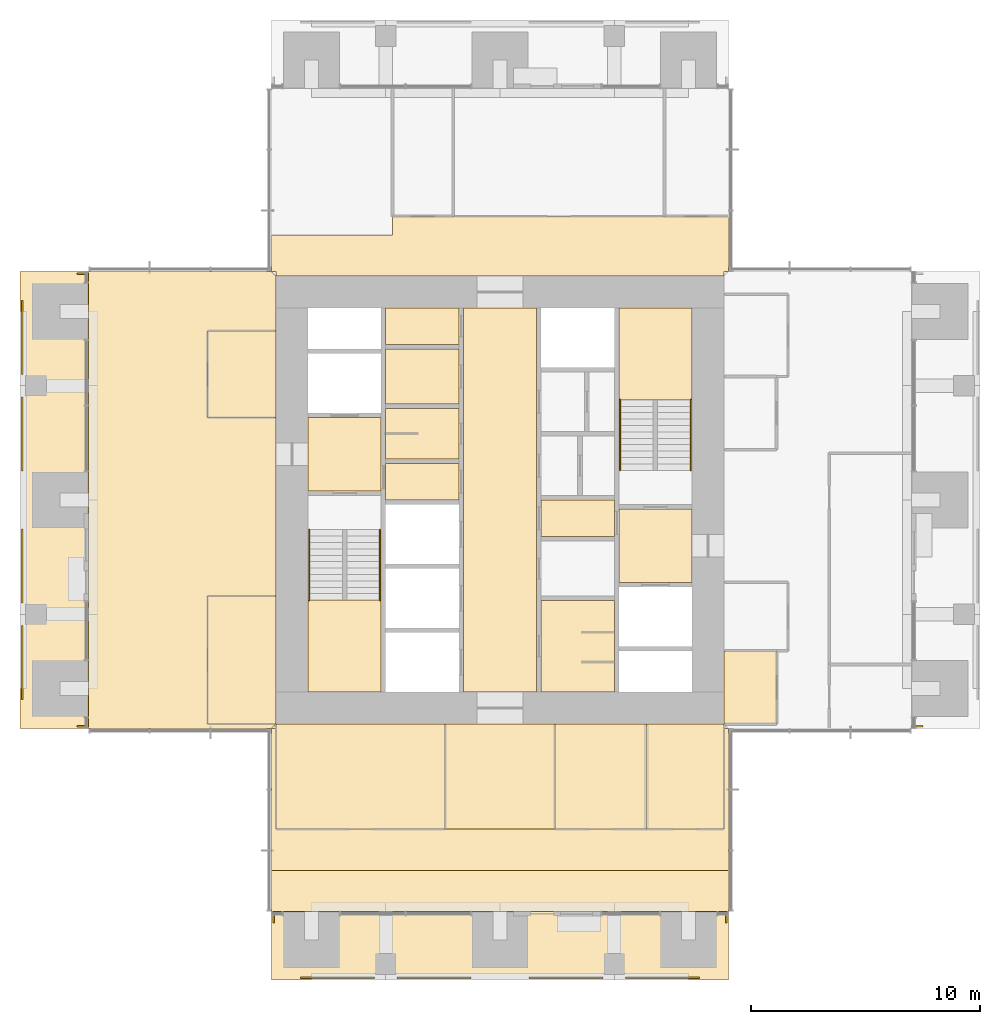
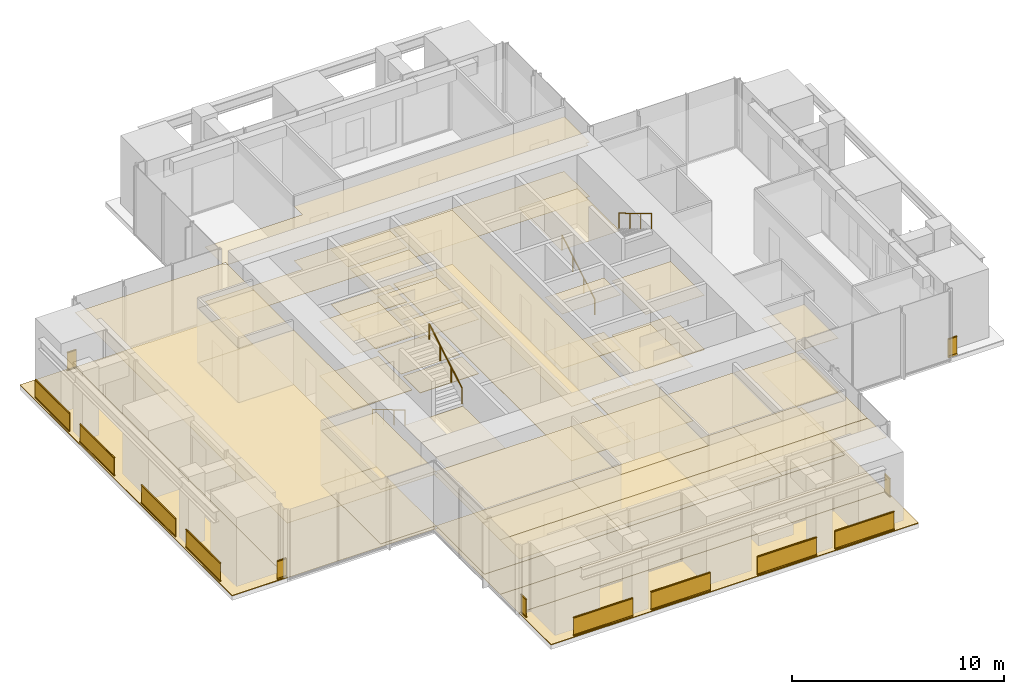
# One storey, part 15 of 17: 44 coverings, 17 railings.
"""IFC4 building model written with IfcOpenShell, lengths in metres."""

from ifc_helpers import new_model, si_unit, direction, frame, origin, origin_2d, place, context, subcontext, project, spatial, polyline, rectangle, circle, outline, extrude, material, layer, layer_set, type_object, element, save


model = new_model("IFC4")

# Units and contexts
model_context = context("Model", 3, precision=1e-05, world=origin(), true_north=direction((0.0, 1.0)))
body_context = subcontext(model_context, "Body", "Model", "MODEL_VIEW")
ifc_project = project(units=[si_unit("LENGTHUNIT", "METRE"), si_unit("AREAUNIT", "SQUARE_METRE"), si_unit("VOLUMEUNIT", "CUBIC_METRE"), si_unit("PLANEANGLEUNIT", "RADIAN"), si_unit("MASSUNIT", "GRAM", prefix="KILO")], contexts=[model_context])

# Site, building, storey
site_placement = place(None, origin())
site = spatial("IfcSite", under=ifc_project, at=site_placement, CompositionType="ELEMENT")
building_placement = place(site_placement, origin())
building = spatial("IfcBuilding", under=site, at=building_placement, Name="Svetlomir Tower", CompositionType="ELEMENT")
storey_placement = place(building_placement, frame((0.0, 0.0, 226.5)))
storey = spatial("IfcBuildingStorey", under=building, at=storey_placement, Name="L54", CompositionType="ELEMENT", Elevation=226.5)

# Railings
ifc_material_1 = material(Name="Bronze anodised aluminium and laminated glass", Category="aluminium")
railing_type_1 = type_object("IfcRailingType", Name="BALCONY GUARD GR1 1100", PredefinedType="GUARDRAIL", material=ifc_material_1)
for number, where, name in (
    (1, (12.27490234375, 0.10009765625, 0.0), "Loggia guard S L54 bay 1"),
    (2, (16.5, 0.10009765625, 0.0), "Loggia guard S L54 bay 2"),
    (3, (22.27490234375, 0.10009765625, 0.0), "Loggia guard S L54 bay 3"),
    (4, (26.5, 0.10009765625, 0.0), "Loggia guard S L54 bay 4"),
):
    element("IfcRailing", number, at=place(storey_placement, frame(where)), inside=storey, type_object=railing_type_1, Name=name, PredefinedType="GUARDRAIL", context=body_context, shape_type="SweptSolid", body=[
        extrude(rectangle(XDim=0.06005859375, YDim=0.10009765625, at=origin_2d()), frame((0.0, 0.0, 0.050048828125), z_axis=(1.0, 0.0, 0.0), x_axis=(0.0, 1.0, 0.0)), (0.0, 0.0, 1.0), 3.22509765625),
        extrude(rectangle(XDim=0.021484375, YDim=0.960205078125, at=origin_2d()), frame((0.0, 0.0, 0.580078125), z_axis=(1.0, 0.0, 0.0), x_axis=(0.0, 1.0, 0.0)), (0.0, 0.0, 1.0), 3.22509765625),
        extrude(rectangle(XDim=0.06005859375, YDim=0.0400390625, at=origin_2d()), frame((0.0, 0.0, 1.080078125), z_axis=(1.0, 0.0, 0.0), x_axis=(0.0, 1.0, 0.0)), (0.0, 0.0, 1.0), 3.22509765625),
    ])
for number, where, name in (
    (5, (11.10009765625, 2.5, 0.0), "Loggia guard S L54 end 1"),
    (6, (30.89990234375, 2.5, 0.0), "Loggia guard S L54 end 2"),
):
    element("IfcRailing", number, at=place(storey_placement, frame(where)), inside=storey, type_object=railing_type_1, Name=name, PredefinedType="GUARDRAIL", context=body_context, shape_type="SweptSolid", body=[
        extrude(rectangle(XDim=0.06005859375, YDim=0.10009765625, at=origin_2d()), frame((0.0, 0.0, 0.050048828125), z_axis=(0.0, 1.0, 0.0), x_axis=(-1.0, 0.0, 0.0)), (0.0, 0.0, 1.0), 0.5),
        extrude(rectangle(XDim=0.021484375, YDim=0.960205078125, at=origin_2d()), frame((0.0, 0.0, 0.580078125), z_axis=(0.0, 1.0, 0.0), x_axis=(-1.0, 0.0, 0.0)), (0.0, 0.0, 1.0), 0.5),
        extrude(rectangle(XDim=0.06005859375, YDim=0.0400390625, at=origin_2d()), frame((0.0, 0.0, 1.080078125), z_axis=(0.0, 1.0, 0.0), x_axis=(-1.0, 0.0, 0.0)), (0.0, 0.0, 1.0), 0.5),
    ])
railing_1_placement = place(storey_placement, frame((39.5, 11.10009765625, 0.0)))
element("IfcRailing", 7, at=railing_1_placement, inside=storey, type_object=railing_type_1, Name="Loggia guard E L54 end 1", PredefinedType="GUARDRAIL", context=body_context, shape_type="SweptSolid", body=[
    extrude(rectangle(XDim=0.06005859375, YDim=0.10009765625, at=origin_2d()), frame((0.0, 0.0, 0.050048828125), z_axis=(-1.0, 0.0, 0.0), x_axis=(0.0, -1.0, 0.0)), (0.0, 0.0, 1.0), 0.5),
    extrude(rectangle(XDim=0.021484375, YDim=0.960205078125, at=origin_2d()), frame((0.0, 0.0, 0.580078125), z_axis=(-1.0, 0.0, 0.0), x_axis=(0.0, -1.0, 0.0)), (0.0, 0.0, 1.0), 0.5),
    extrude(rectangle(XDim=0.06005859375, YDim=0.0400390625, at=origin_2d()), frame((0.0, 0.0, 1.080078125), z_axis=(-1.0, 0.0, 0.0), x_axis=(0.0, -1.0, 0.0)), (0.0, 0.0, 1.0), 0.5),
])
for number, where, name in (
    (8, (0.10009765625, 12.27490234375, 0.0), "Loggia guard W L54 bay 1"),
    (9, (0.10009765625, 16.5, 0.0), "Loggia guard W L54 bay 2"),
    (10, (0.10009765625, 22.27490234375, 0.0), "Loggia guard W L54 bay 3"),
    (11, (0.10009765625, 26.5, 0.0), "Loggia guard W L54 bay 4"),
):
    element("IfcRailing", number, at=place(storey_placement, frame(where)), inside=storey, type_object=railing_type_1, Name=name, PredefinedType="GUARDRAIL", context=body_context, shape_type="SweptSolid", body=[
        extrude(rectangle(XDim=0.06005859375, YDim=0.10009765625, at=origin_2d()), frame((0.0, 0.0, 0.050048828125), z_axis=(0.0, 1.0, 0.0), x_axis=(-1.0, 0.0, 0.0)), (0.0, 0.0, 1.0), 3.22509765625),
        extrude(rectangle(XDim=0.021484375, YDim=0.960205078125, at=origin_2d()), frame((0.0, 0.0, 0.580078125), z_axis=(0.0, 1.0, 0.0), x_axis=(-1.0, 0.0, 0.0)), (0.0, 0.0, 1.0), 3.22509765625),
        extrude(rectangle(XDim=0.06005859375, YDim=0.0400390625, at=origin_2d()), frame((0.0, 0.0, 1.080078125), z_axis=(0.0, 1.0, 0.0), x_axis=(-1.0, 0.0, 0.0)), (0.0, 0.0, 1.0), 3.22509765625),
    ])
for number, where, name in (
    (12, (2.5, 11.10009765625, 0.0), "Loggia guard W L54 end 1"),
    (13, (2.5, 30.89990234375, 0.0), "Loggia guard W L54 end 2"),
):
    element("IfcRailing", number, at=place(storey_placement, frame(where)), inside=storey, type_object=railing_type_1, Name=name, PredefinedType="GUARDRAIL", context=body_context, shape_type="SweptSolid", body=[
        extrude(rectangle(XDim=0.06005859375, YDim=0.10009765625, at=origin_2d()), frame((0.0, 0.0, 0.050048828125), z_axis=(1.0, 0.0, 0.0), x_axis=(0.0, 1.0, 0.0)), (0.0, 0.0, 1.0), 0.5),
        extrude(rectangle(XDim=0.021484375, YDim=0.960205078125, at=origin_2d()), frame((0.0, 0.0, 0.580078125), z_axis=(1.0, 0.0, 0.0), x_axis=(0.0, 1.0, 0.0)), (0.0, 0.0, 1.0), 0.5),
        extrude(rectangle(XDim=0.06005859375, YDim=0.0400390625, at=origin_2d()), frame((0.0, 0.0, 1.080078125), z_axis=(1.0, 0.0, 0.0), x_axis=(0.0, 1.0, 0.0)), (0.0, 0.0, 1.0), 0.5),
    ])

# Coverings
ifc_material_2 = material(Name="Granite paving slabs on pedestals", Category="masonry")
ifc_layer_1 = layer(ifc_material_2, 0.0400390625)
ifc_layer_set_1 = layer_set([ifc_layer_1], Name="Granite paving slabs on pedestals")
covering_type_1 = type_object("IfcCoveringType", Name="BALCONY PAVING 40", PredefinedType="USERDEFINED", material=ifc_layer_set_1)
covering_1_placement = place(storey_placement, origin())
element("IfcCovering", 14, at=covering_1_placement, inside=storey, type_object=covering_type_1, Name="Loggia paving S L54", ObjectType="BALCONY PAVING", PredefinedType="USERDEFINED", context=body_context, shape_type="SweptSolid", body=[
    extrude(outline(polyline([(11.0, 0.0), (31.0, 0.0), (31.0, 3.0), (11.0, 3.0), (11.0, 0.0)])), origin(), (0.0, 0.0, 1.0), 0.0400390625),
])
covering_2_placement = place(storey_placement, origin())
element("IfcCovering", 15, at=covering_2_placement, inside=storey, type_object=covering_type_1, Name="Loggia paving W L54", ObjectType="BALCONY PAVING", PredefinedType="USERDEFINED", context=body_context, shape_type="SweptSolid", body=[
    extrude(outline(polyline([(0.0, 11.0), (3.0, 11.0), (3.0, 31.0), (0.0, 31.0), (0.0, 11.0)])), origin(), (0.0, 0.0, 1.0), 0.0400390625),
])
ifc_material_3 = material(Name="Carpet tile", Category="textile")
ifc_layer_2 = layer(ifc_material_3, 0.010009765625)
ifc_layer_set_2 = layer_set([ifc_layer_2], Name="Carpet tile")
covering_type_2 = type_object("IfcCoveringType", Name="CARPET TILE FLOOR 10", PredefinedType="FLOORING", material=ifc_layer_set_2)
covering_3_placement = place(storey_placement, origin())
element("IfcCovering", 16, at=covering_3_placement, inside=storey, type_object=covering_type_2, Name="Floor finish L54-17", PredefinedType="FLOORING", context=body_context, shape_type="SweptSolid", body=[
    extrude(outline(polyline([(11.199951171875, 6.60009765625), (18.60009765625, 6.60009765625), (18.60009765625, 11.199951171875), (11.199951171875, 11.199951171875), (11.199951171875, 6.60009765625)])), origin(), (0.0, 0.0, 1.0), 0.010009765625),
])
covering_4_placement = place(storey_placement, origin())
element("IfcCovering", 17, at=covering_4_placement, inside=storey, type_object=covering_type_2, Name="Floor finish L54-18", PredefinedType="FLOORING", context=body_context, shape_type="SweptSolid", body=[
    extrude(outline(polyline([(23.39990234375, 6.60009765625), (27.39990234375, 6.60009765625), (27.39990234375, 11.199951171875), (23.39990234375, 11.199951171875), (23.39990234375, 6.60009765625)])), origin(), (0.0, 0.0, 1.0), 0.010009765625),
])
covering_5_placement = place(storey_placement, origin())
element("IfcCovering", 18, at=covering_5_placement, inside=storey, type_object=covering_type_2, Name="Floor finish L54-19", PredefinedType="FLOORING", context=body_context, shape_type="SweptSolid", body=[
    extrude(outline(polyline([(27.39990234375, 6.60009765625), (30.800048828125, 6.60009765625), (30.800048828125, 11.199951171875), (27.39990234375, 11.199951171875), (27.39990234375, 6.60009765625)])), origin(), (0.0, 0.0, 1.0), 0.010009765625),
])
covering_6_placement = place(storey_placement, origin())
element("IfcCovering", 19, at=covering_6_placement, inside=storey, type_object=covering_type_2, Name="Floor finish L54-20", PredefinedType="FLOORING", context=body_context, shape_type="SweptSolid", body=[
    extrude(outline(polyline([(30.800048828125, 11.199951171875), (33.10009765625, 11.199951171875), (33.10009765625, 14.39990234375), (30.800048828125, 14.39990234375), (30.800048828125, 11.199951171875)])), origin(), (0.0, 0.0, 1.0), 0.010009765625),
])
covering_7_placement = place(storey_placement, origin())
element("IfcCovering", 20, at=covering_7_placement, inside=storey, type_object=covering_type_2, Name="Floor finish L54-29", PredefinedType="FLOORING", context=body_context, shape_type="SweptSolid", body=[
    extrude(outline(polyline([(8.199951171875, 11.199951171875), (11.199951171875, 11.199951171875), (11.199951171875, 16.800048828125), (8.199951171875, 16.800048828125), (8.199951171875, 11.199951171875)])), origin(), (0.0, 0.0, 1.0), 0.010009765625),
])
covering_8_placement = place(storey_placement, origin())
element("IfcCovering", 21, at=covering_8_placement, inside=storey, type_object=covering_type_2, Name="Floor finish L54-30", PredefinedType="FLOORING", context=body_context, shape_type="SweptSolid", body=[
    extrude(outline(polyline([(8.199951171875, 24.60009765625), (11.199951171875, 24.60009765625), (11.199951171875, 28.39990234375), (8.199951171875, 28.39990234375), (8.199951171875, 24.60009765625)])), origin(), (0.0, 0.0, 1.0), 0.010009765625),
])
covering_9_placement = place(storey_placement, origin())
element("IfcCovering", 22, at=covering_9_placement, inside=storey, type_object=covering_type_2, Name="Floor finish L54-31", PredefinedType="FLOORING", context=body_context, shape_type="SweptSolid", body=[
    extrude(outline(polyline([(11.0, 11.0), (11.199951171875, 11.0), (11.199951171875, 6.60009765625), (30.800048828125, 6.60009765625), (30.800048828125, 11.0), (31.0, 11.0), (31.0, 4.800048828125), (11.0, 4.800048828125), (11.0, 11.0)])), origin(), (0.0, 0.0, 1.0), 0.010009765625),
])
covering_10_placement = place(storey_placement, origin())
element("IfcCovering", 23, at=covering_10_placement, inside=storey, type_object=covering_type_2, Name="Floor finish L54-32", PredefinedType="FLOORING", context=body_context, shape_type="SweptSolid", body=[
    extrude(outline(polyline([(11.199951171875, 30.800048828125), (11.199951171875, 31.0), (11.0, 31.0), (11.0, 32.60009765625), (16.300048828125, 32.60009765625), (16.300048828125, 33.39990234375), (31.0, 33.39990234375), (31.0, 31.0), (30.800048828125, 31.0), (30.800048828125, 30.800048828125), (11.199951171875, 30.800048828125)])), origin(), (0.0, 0.0, 1.0), 0.010009765625),
])
covering_11_placement = place(storey_placement, origin())
element("IfcCovering", 24, at=covering_11_placement, inside=storey, type_object=covering_type_2, Name="Floor finish L54-33", PredefinedType="FLOORING", context=body_context, shape_type="SweptSolid", body=[
    extrude(outline(polyline([(11.0, 3.0), (11.0, 4.800048828125), (31.0, 4.800048828125), (31.0, 3.0), (11.0, 3.0)])), origin(), (0.0, 0.0, 1.0), 0.010009765625),
])
covering_12_placement = place(storey_placement, origin())
element("IfcCovering", 25, at=covering_12_placement, inside=storey, type_object=covering_type_2, Name="Floor finish L54-34", PredefinedType="FLOORING", context=body_context, shape_type="SweptSolid", body=[
    extrude(outline(polyline([(23.39990234375, 11.199951171875), (23.39990234375, 6.60009765625), (18.60009765625, 6.60009765625), (18.60009765625, 11.199951171875), (23.39990234375, 11.199951171875)])), origin(), (0.0, 0.0, 1.0), 0.010009765625),
])
covering_13_placement = place(storey_placement, origin())
element("IfcCovering", 26, at=covering_13_placement, inside=storey, type_object=covering_type_2, Name="Floor finish L54-37", PredefinedType="FLOORING", context=body_context, shape_type="SweptSolid", body=[
    extrude(outline(polyline([(3.0, 31.0), (11.0, 31.0), (11.199951171875, 30.800048828125), (11.199951171875, 28.39990234375), (8.199951171875, 28.39990234375), (8.199951171875, 24.60009765625), (11.199951171875, 24.60009765625), (11.199951171875, 16.800048828125), (8.199951171875, 16.800048828125), (8.199951171875, 11.199951171875), (11.199951171875, 11.199951171875), (11.0, 11.0), (3.0, 11.0), (3.0, 31.0)])), origin(), (0.0, 0.0, 1.0), 0.010009765625),
])
ifc_material_4 = material(Name="Ceramic floor tile", Category="ceramic")
ifc_layer_3 = layer(ifc_material_4, 0.014892578125)
ifc_layer_set_3 = layer_set([ifc_layer_3], Name="Ceramic floor tile")
covering_type_3 = type_object("IfcCoveringType", Name="CERAMIC TILE FLOOR 15", PredefinedType="FLOORING", material=ifc_layer_set_3)
covering_14_placement = place(storey_placement, origin())
element("IfcCovering", 27, at=covering_14_placement, inside=storey, type_object=covering_type_3, Name="Floor finish L54-04", PredefinedType="FLOORING", context=body_context, shape_type="SweptSolid", body=[
    extrude(outline(polyline([(16.0, 22.800048828125), (19.199951171875, 22.800048828125), (19.199951171875, 25.0), (16.0, 25.0), (16.0, 22.800048828125)])), origin(), (0.0, 0.0, 1.0), 0.014892578125),
])
covering_15_placement = place(storey_placement, origin())
element("IfcCovering", 28, at=covering_15_placement, inside=storey, type_object=covering_type_3, Name="Floor finish L54-05", PredefinedType="FLOORING", context=body_context, shape_type="SweptSolid", body=[
    extrude(outline(polyline([(16.0, 25.199951171875), (19.199951171875, 25.199951171875), (19.199951171875, 27.60009765625), (16.0, 27.60009765625), (16.0, 25.199951171875)])), origin(), (0.0, 0.0, 1.0), 0.014892578125),
])
covering_16_placement = place(storey_placement, origin())
element("IfcCovering", 29, at=covering_16_placement, inside=storey, type_object=covering_type_3, Name="Floor finish L54-08", PredefinedType="FLOORING", context=body_context, shape_type="SweptSolid", body=[
    extrude(outline(polyline([(22.800048828125, 12.60009765625), (26.0, 12.60009765625), (26.0, 16.60009765625), (22.800048828125, 16.60009765625), (22.800048828125, 12.60009765625)])), origin(), (0.0, 0.0, 1.0), 0.014892578125),
])

# Railings
ifc_material_5 = material(Name="Stainless steel", Category="steel")
railing_type_2 = type_object("IfcRailingType", Name="HANDRAIL HR1 900", PredefinedType="HANDRAIL", material=ifc_material_5)
railing_2_placement = place(storey_placement, frame((12.64990234375, 19.699951171875, 0.166748046875)))
element("IfcRailing", 30, at=railing_2_placement, inside=storey, type_object=railing_type_2, Name="Handrail S1 flight 1 L54", PredefinedType="HANDRAIL", context=body_context, shape_type="SweptSolid", body=[
    extrude(circle(Radius=0.02392578125, at=origin_2d()), frame((0.0, 0.0, 0.8759765625), z_axis=(0.0, -0.859290745958, 0.51148745235), x_axis=(1.0, 0.0, 0.0)), (0.0, 0.0, 1.0), 3.584228515625),
    extrude(circle(Radius=0.02099609375, at=origin_2d()), origin(), (0.0, 0.0, 1.0), 0.851806640625),
    extrude(circle(Radius=0.02099609375, at=origin_2d()), frame((0.0, -1.026611328125, 0.611083984375)), (0.0, 0.0, 1.0), 0.851806640625),
    extrude(circle(Radius=0.02099609375, at=origin_2d()), frame((0.0, -2.05322265625, 1.22216796875)), (0.0, 0.0, 1.0), 0.851806640625),
    extrude(circle(Radius=0.02099609375, at=origin_2d()), frame((0.0, -3.079833984375, 1.833251953125)), (0.0, 0.0, 1.0), 0.851806640625),
])
for number, where, name in (
    (31, (15.75, 16.6201171875, 2.166748046875), "Handrail S1 flight 2 L54"),
    (32, (26.25, 22.300048828125, 0.166748046875), "Handrail S2 flight 1 L54"),
):
    element("IfcRailing", number, at=place(storey_placement, frame(where)), inside=storey, type_object=railing_type_2, Name=name, PredefinedType="HANDRAIL", context=body_context, shape_type="SweptSolid", body=[
        extrude(circle(Radius=0.02392578125, at=origin_2d()), frame((0.0, 0.0, 0.8759765625), z_axis=(0.0, 0.859290745958, 0.51148745235), x_axis=(-1.0, 0.0, 0.0)), (0.0, 0.0, 1.0), 3.584228515625),
        extrude(circle(Radius=0.02099609375, at=origin_2d()), origin(), (0.0, 0.0, 1.0), 0.851806640625),
        extrude(circle(Radius=0.02099609375, at=origin_2d()), frame((0.0, 1.026611328125, 0.611083984375)), (0.0, 0.0, 1.0), 0.851806640625),
        extrude(circle(Radius=0.02099609375, at=origin_2d()), frame((0.0, 2.05322265625, 1.22216796875)), (0.0, 0.0, 1.0), 0.851806640625),
        extrude(circle(Radius=0.02099609375, at=origin_2d()), frame((0.0, 3.079833984375, 1.833251953125)), (0.0, 0.0, 1.0), 0.851806640625),
    ])
railing_3_placement = place(storey_placement, frame((29.35009765625, 25.3798828125, 2.166748046875)))
element("IfcRailing", 33, at=railing_3_placement, inside=storey, type_object=railing_type_2, Name="Handrail S2 flight 2 L54", PredefinedType="HANDRAIL", context=body_context, shape_type="SweptSolid", body=[
    extrude(circle(Radius=0.02392578125, at=origin_2d()), frame((0.0, 0.0, 0.8759765625), z_axis=(0.0, -0.859290745958, 0.51148745235), x_axis=(1.0, 0.0, 0.0)), (0.0, 0.0, 1.0), 3.584228515625),
    extrude(circle(Radius=0.02099609375, at=origin_2d()), origin(), (0.0, 0.0, 1.0), 0.851806640625),
    extrude(circle(Radius=0.02099609375, at=origin_2d()), frame((0.0, -1.026611328125, 0.611083984375)), (0.0, 0.0, 1.0), 0.851806640625),
    extrude(circle(Radius=0.02099609375, at=origin_2d()), frame((0.0, -2.05322265625, 1.22216796875)), (0.0, 0.0, 1.0), 0.851806640625),
    extrude(circle(Radius=0.02099609375, at=origin_2d()), frame((0.0, -3.079833984375, 1.833251953125)), (0.0, 0.0, 1.0), 0.851806640625),
])

# Coverings
ifc_material_6 = material(Name="Moisture resistant plasterboard ceiling", Category="gypsum")
ifc_layer_4 = layer(ifc_material_6, 0.012451171875)
ifc_layer_set_4 = layer_set([ifc_layer_4], Name="Moisture resistant plasterboard ceiling")
covering_type_4 = type_object("IfcCoveringType", Name="MOISTURE RESISTANT CEILING 12.5", PredefinedType="CEILING", material=ifc_layer_set_4)
covering_17_placement = place(storey_placement, frame((0.0, 0.0, 3.137451171875)))
element("IfcCovering", 34, at=covering_17_placement, inside=storey, type_object=covering_type_4, Name="Ceiling L54-04", PredefinedType="CEILING", context=body_context, shape_type="SweptSolid", body=[
    extrude(outline(polyline([(16.0, 22.800048828125), (19.199951171875, 22.800048828125), (19.199951171875, 25.0), (16.0, 25.0), (16.0, 22.800048828125)])), origin(), (0.0, 0.0, 1.0), 0.012451171875),
])
covering_18_placement = place(storey_placement, frame((0.0, 0.0, 3.137451171875)))
element("IfcCovering", 35, at=covering_18_placement, inside=storey, type_object=covering_type_4, Name="Ceiling L54-05", PredefinedType="CEILING", context=body_context, shape_type="SweptSolid", body=[
    extrude(outline(polyline([(16.0, 25.199951171875), (19.199951171875, 25.199951171875), (19.199951171875, 27.60009765625), (16.0, 27.60009765625), (16.0, 25.199951171875)])), origin(), (0.0, 0.0, 1.0), 0.012451171875),
])
covering_19_placement = place(storey_placement, frame((0.0, 0.0, 3.137451171875)))
element("IfcCovering", 36, at=covering_19_placement, inside=storey, type_object=covering_type_4, Name="Ceiling L54-08", PredefinedType="CEILING", context=body_context, shape_type="SweptSolid", body=[
    extrude(outline(polyline([(22.800048828125, 12.60009765625), (26.0, 12.60009765625), (26.0, 16.60009765625), (22.800048828125, 16.60009765625), (22.800048828125, 12.60009765625)])), origin(), (0.0, 0.0, 1.0), 0.012451171875),
])
ifc_material_7 = material(Name="Gypsum plasterboard ceiling", Category="gypsum")
ifc_layer_5 = layer(ifc_material_7, 0.014892578125)
ifc_layer_set_5 = layer_set([ifc_layer_5], Name="Gypsum plasterboard ceiling")
covering_type_5 = type_object("IfcCoveringType", Name="PLASTERBOARD CEILING 15", PredefinedType="CEILING", material=ifc_layer_set_5)
covering_20_placement = place(storey_placement, frame((0.0, 0.0, 3.135009765625)))
element("IfcCovering", 37, at=covering_20_placement, inside=storey, type_object=covering_type_5, Name="Ceiling L54-02", PredefinedType="CEILING", context=body_context, shape_type="SweptSolid", body=[
    extrude(outline(polyline([(12.60009765625, 21.39990234375), (15.800048828125, 21.39990234375), (15.800048828125, 24.60009765625), (12.60009765625, 24.60009765625), (12.60009765625, 21.39990234375)])), origin(), (0.0, 0.0, 1.0), 0.014892578125),
])
covering_21_placement = place(storey_placement, frame((0.0, 0.0, 3.135009765625)))
element("IfcCovering", 38, at=covering_21_placement, inside=storey, type_object=covering_type_5, Name="Ceiling L54-03", PredefinedType="CEILING", context=body_context, shape_type="SweptSolid", body=[
    extrude(outline(polyline([(16.0, 21.0), (19.199951171875, 21.0), (19.199951171875, 22.60009765625), (16.0, 22.60009765625), (16.0, 21.0)])), origin(), (0.0, 0.0, 1.0), 0.014892578125),
])
covering_22_placement = place(storey_placement, frame((0.0, 0.0, 3.135009765625)))
element("IfcCovering", 39, at=covering_22_placement, inside=storey, type_object=covering_type_5, Name="Ceiling L54-06", PredefinedType="CEILING", context=body_context, shape_type="SweptSolid", body=[
    extrude(outline(polyline([(16.0, 27.800048828125), (19.199951171875, 27.800048828125), (19.199951171875, 29.39990234375), (16.0, 29.39990234375), (16.0, 27.800048828125)])), origin(), (0.0, 0.0, 1.0), 0.014892578125),
])
covering_23_placement = place(storey_placement, frame((0.0, 0.0, 3.135009765625)))
element("IfcCovering", 40, at=covering_23_placement, inside=storey, type_object=covering_type_5, Name="Ceiling L54-07", PredefinedType="CEILING", context=body_context, shape_type="SweptSolid", body=[
    extrude(outline(polyline([(19.39990234375, 12.60009765625), (22.60009765625, 12.60009765625), (22.60009765625, 29.39990234375), (19.39990234375, 29.39990234375), (19.39990234375, 12.60009765625)])), origin(), (0.0, 0.0, 1.0), 0.014892578125),
])
covering_24_placement = place(storey_placement, frame((0.0, 0.0, 3.135009765625)))
element("IfcCovering", 41, at=covering_24_placement, inside=storey, type_object=covering_type_5, Name="Ceiling L54-10", PredefinedType="CEILING", context=body_context, shape_type="SweptSolid", body=[
    extrude(outline(polyline([(22.800048828125, 19.39990234375), (26.0, 19.39990234375), (26.0, 21.0), (22.800048828125, 21.0), (22.800048828125, 19.39990234375)])), origin(), (0.0, 0.0, 1.0), 0.014892578125),
])
covering_25_placement = place(storey_placement, frame((0.0, 0.0, 3.135009765625)))
element("IfcCovering", 42, at=covering_25_placement, inside=storey, type_object=covering_type_5, Name="Ceiling L54-11", PredefinedType="CEILING", context=body_context, shape_type="SweptSolid", body=[
    extrude(outline(polyline([(26.199951171875, 17.39990234375), (29.39990234375, 17.39990234375), (29.39990234375, 20.60009765625), (26.199951171875, 20.60009765625), (26.199951171875, 17.39990234375)])), origin(), (0.0, 0.0, 1.0), 0.014892578125),
])
ifc_material_8 = material(Name="Studded rubber floor finish", Category="rubber")
ifc_layer_6 = layer(ifc_material_8, 0.006103515625)
ifc_layer_set_6 = layer_set([ifc_layer_6], Name="Studded rubber floor finish")
covering_type_6 = type_object("IfcCoveringType", Name="RUBBER LANDING FINISH 6", PredefinedType="FLOORING", material=ifc_layer_set_6)
covering_26_placement = place(storey_placement, frame((0.0, 0.0, 2.0)))
element("IfcCovering", 43, at=covering_26_placement, inside=storey, type_object=covering_type_6, Name="Stair S1 landing finish L54", PredefinedType="FLOORING", context=body_context, shape_type="SweptSolid", body=[
    extrude(outline(polyline([(12.60009765625, 12.60009765625), (15.800048828125, 12.60009765625), (15.800048828125, 16.6201171875), (12.60009765625, 16.6201171875), (12.60009765625, 12.60009765625)])), origin(), (0.0, 0.0, 1.0), 0.006103515625),
])
covering_27_placement = place(storey_placement, frame((0.0, 0.0, 2.0)))
element("IfcCovering", 44, at=covering_27_placement, inside=storey, type_object=covering_type_6, Name="Stair S2 landing finish L54", PredefinedType="FLOORING", context=body_context, shape_type="SweptSolid", body=[
    extrude(outline(polyline([(26.199951171875, 25.3798828125), (29.39990234375, 25.3798828125), (29.39990234375, 29.39990234375), (26.199951171875, 29.39990234375), (26.199951171875, 25.3798828125)])), origin(), (0.0, 0.0, 1.0), 0.006103515625),
])
ifc_material_9 = material(Name="Mineral fibre ceiling tile", Category="mineral")
ifc_layer_7 = layer(ifc_material_9, 0.02001953125)
ifc_layer_set_7 = layer_set([ifc_layer_7], Name="Mineral fibre ceiling tile")
covering_type_7 = type_object("IfcCoveringType", Name="SUSPENDED CEILING 20", PredefinedType="CEILING", material=ifc_layer_set_7)
covering_28_placement = place(storey_placement, frame((0.0, 0.0, 3.1298828125)))
element("IfcCovering", 45, at=covering_28_placement, inside=storey, type_object=covering_type_7, Name="Ceiling L54-17", PredefinedType="CEILING", context=body_context, shape_type="SweptSolid", body=[
    extrude(outline(polyline([(11.199951171875, 6.60009765625), (18.60009765625, 6.60009765625), (18.60009765625, 11.199951171875), (11.199951171875, 11.199951171875), (11.199951171875, 6.60009765625)])), origin(), (0.0, 0.0, 1.0), 0.02001953125),
])
covering_29_placement = place(storey_placement, frame((0.0, 0.0, 3.1298828125)))
element("IfcCovering", 46, at=covering_29_placement, inside=storey, type_object=covering_type_7, Name="Ceiling L54-18", PredefinedType="CEILING", context=body_context, shape_type="SweptSolid", body=[
    extrude(outline(polyline([(23.39990234375, 6.60009765625), (27.39990234375, 6.60009765625), (27.39990234375, 11.199951171875), (23.39990234375, 11.199951171875), (23.39990234375, 6.60009765625)])), origin(), (0.0, 0.0, 1.0), 0.02001953125),
])
covering_30_placement = place(storey_placement, frame((0.0, 0.0, 3.1298828125)))
element("IfcCovering", 47, at=covering_30_placement, inside=storey, type_object=covering_type_7, Name="Ceiling L54-19", PredefinedType="CEILING", context=body_context, shape_type="SweptSolid", body=[
    extrude(outline(polyline([(27.39990234375, 6.60009765625), (30.800048828125, 6.60009765625), (30.800048828125, 11.199951171875), (27.39990234375, 11.199951171875), (27.39990234375, 6.60009765625)])), origin(), (0.0, 0.0, 1.0), 0.02001953125),
])
covering_31_placement = place(storey_placement, frame((0.0, 0.0, 3.1298828125)))
element("IfcCovering", 48, at=covering_31_placement, inside=storey, type_object=covering_type_7, Name="Ceiling L54-20", PredefinedType="CEILING", context=body_context, shape_type="SweptSolid", body=[
    extrude(outline(polyline([(30.800048828125, 11.199951171875), (33.10009765625, 11.199951171875), (33.10009765625, 14.39990234375), (30.800048828125, 14.39990234375), (30.800048828125, 11.199951171875)])), origin(), (0.0, 0.0, 1.0), 0.02001953125),
])
covering_32_placement = place(storey_placement, frame((0.0, 0.0, 3.1298828125)))
element("IfcCovering", 49, at=covering_32_placement, inside=storey, type_object=covering_type_7, Name="Ceiling L54-29", PredefinedType="CEILING", context=body_context, shape_type="SweptSolid", body=[
    extrude(outline(polyline([(8.199951171875, 11.199951171875), (11.199951171875, 11.199951171875), (11.199951171875, 16.800048828125), (8.199951171875, 16.800048828125), (8.199951171875, 11.199951171875)])), origin(), (0.0, 0.0, 1.0), 0.02001953125),
])
covering_33_placement = place(storey_placement, frame((0.0, 0.0, 3.1298828125)))
element("IfcCovering", 50, at=covering_33_placement, inside=storey, type_object=covering_type_7, Name="Ceiling L54-30", PredefinedType="CEILING", context=body_context, shape_type="SweptSolid", body=[
    extrude(outline(polyline([(8.199951171875, 24.60009765625), (11.199951171875, 24.60009765625), (11.199951171875, 28.39990234375), (8.199951171875, 28.39990234375), (8.199951171875, 24.60009765625)])), origin(), (0.0, 0.0, 1.0), 0.02001953125),
])
covering_34_placement = place(storey_placement, frame((0.0, 0.0, 3.1298828125)))
element("IfcCovering", 51, at=covering_34_placement, inside=storey, type_object=covering_type_7, Name="Ceiling L54-31", PredefinedType="CEILING", context=body_context, shape_type="SweptSolid", body=[
    extrude(outline(polyline([(11.0, 11.0), (11.199951171875, 11.0), (11.199951171875, 6.60009765625), (30.800048828125, 6.60009765625), (30.800048828125, 11.0), (31.0, 11.0), (31.0, 4.800048828125), (11.0, 4.800048828125), (11.0, 11.0)])), origin(), (0.0, 0.0, 1.0), 0.02001953125),
])
covering_35_placement = place(storey_placement, frame((0.0, 0.0, 3.1298828125)))
element("IfcCovering", 52, at=covering_35_placement, inside=storey, type_object=covering_type_7, Name="Ceiling L54-32", PredefinedType="CEILING", context=body_context, shape_type="SweptSolid", body=[
    extrude(outline(polyline([(11.199951171875, 30.800048828125), (11.199951171875, 31.0), (11.0, 31.0), (11.0, 32.60009765625), (16.300048828125, 32.60009765625), (16.300048828125, 33.39990234375), (31.0, 33.39990234375), (31.0, 31.0), (30.800048828125, 31.0), (30.800048828125, 30.800048828125), (11.199951171875, 30.800048828125)])), origin(), (0.0, 0.0, 1.0), 0.02001953125),
])
covering_36_placement = place(storey_placement, frame((0.0, 0.0, 3.1298828125)))
element("IfcCovering", 53, at=covering_36_placement, inside=storey, type_object=covering_type_7, Name="Ceiling L54-33", PredefinedType="CEILING", context=body_context, shape_type="SweptSolid", body=[
    extrude(outline(polyline([(11.0, 3.0), (11.0, 4.800048828125), (31.0, 4.800048828125), (31.0, 3.0), (11.0, 3.0)])), origin(), (0.0, 0.0, 1.0), 0.02001953125),
])
covering_37_placement = place(storey_placement, frame((0.0, 0.0, 3.1298828125)))
element("IfcCovering", 54, at=covering_37_placement, inside=storey, type_object=covering_type_7, Name="Ceiling L54-34", PredefinedType="CEILING", context=body_context, shape_type="SweptSolid", body=[
    extrude(outline(polyline([(23.39990234375, 11.199951171875), (23.39990234375, 6.60009765625), (18.60009765625, 6.60009765625), (18.60009765625, 11.199951171875), (23.39990234375, 11.199951171875)])), origin(), (0.0, 0.0, 1.0), 0.02001953125),
])
covering_38_placement = place(storey_placement, frame((0.0, 0.0, 3.1298828125)))
element("IfcCovering", 55, at=covering_38_placement, inside=storey, type_object=covering_type_7, Name="Ceiling L54-37", PredefinedType="CEILING", context=body_context, shape_type="SweptSolid", body=[
    extrude(outline(polyline([(3.0, 31.0), (11.0, 31.0), (11.199951171875, 30.800048828125), (11.199951171875, 28.39990234375), (8.199951171875, 28.39990234375), (8.199951171875, 24.60009765625), (11.199951171875, 24.60009765625), (11.199951171875, 16.800048828125), (8.199951171875, 16.800048828125), (8.199951171875, 11.199951171875), (11.199951171875, 11.199951171875), (11.0, 11.0), (3.0, 11.0), (3.0, 31.0)])), origin(), (0.0, 0.0, 1.0), 0.02001953125),
])
ifc_material_10 = material(Name="Bronze-aggregate terrazzo", Category="stone")
ifc_layer_8 = layer(ifc_material_10, 0.030029296875)
ifc_layer_set_8 = layer_set([ifc_layer_8], Name="Bronze-aggregate terrazzo")
covering_type_8 = type_object("IfcCoveringType", Name="TERRAZZO FLOOR 30", PredefinedType="FLOORING", material=ifc_layer_set_8)
covering_39_placement = place(storey_placement, origin())
element("IfcCovering", 56, at=covering_39_placement, inside=storey, type_object=covering_type_8, Name="Floor finish L54-02", PredefinedType="FLOORING", context=body_context, shape_type="SweptSolid", body=[
    extrude(outline(polyline([(12.60009765625, 21.39990234375), (15.800048828125, 21.39990234375), (15.800048828125, 24.60009765625), (12.60009765625, 24.60009765625), (12.60009765625, 21.39990234375)])), origin(), (0.0, 0.0, 1.0), 0.030029296875),
])
covering_40_placement = place(storey_placement, origin())
element("IfcCovering", 57, at=covering_40_placement, inside=storey, type_object=covering_type_8, Name="Floor finish L54-03", PredefinedType="FLOORING", context=body_context, shape_type="SweptSolid", body=[
    extrude(outline(polyline([(16.0, 21.0), (19.199951171875, 21.0), (19.199951171875, 22.60009765625), (16.0, 22.60009765625), (16.0, 21.0)])), origin(), (0.0, 0.0, 1.0), 0.030029296875),
])
covering_41_placement = place(storey_placement, origin())
element("IfcCovering", 58, at=covering_41_placement, inside=storey, type_object=covering_type_8, Name="Floor finish L54-06", PredefinedType="FLOORING", context=body_context, shape_type="SweptSolid", body=[
    extrude(outline(polyline([(16.0, 27.800048828125), (19.199951171875, 27.800048828125), (19.199951171875, 29.39990234375), (16.0, 29.39990234375), (16.0, 27.800048828125)])), origin(), (0.0, 0.0, 1.0), 0.030029296875),
])
covering_42_placement = place(storey_placement, origin())
element("IfcCovering", 59, at=covering_42_placement, inside=storey, type_object=covering_type_8, Name="Floor finish L54-07", PredefinedType="FLOORING", context=body_context, shape_type="SweptSolid", body=[
    extrude(outline(polyline([(19.39990234375, 12.60009765625), (22.60009765625, 12.60009765625), (22.60009765625, 29.39990234375), (19.39990234375, 29.39990234375), (19.39990234375, 12.60009765625)])), origin(), (0.0, 0.0, 1.0), 0.030029296875),
])
covering_43_placement = place(storey_placement, origin())
element("IfcCovering", 60, at=covering_43_placement, inside=storey, type_object=covering_type_8, Name="Floor finish L54-10", PredefinedType="FLOORING", context=body_context, shape_type="SweptSolid", body=[
    extrude(outline(polyline([(22.800048828125, 19.39990234375), (26.0, 19.39990234375), (26.0, 21.0), (22.800048828125, 21.0), (22.800048828125, 19.39990234375)])), origin(), (0.0, 0.0, 1.0), 0.030029296875),
])
covering_44_placement = place(storey_placement, origin())
element("IfcCovering", 61, at=covering_44_placement, inside=storey, type_object=covering_type_8, Name="Floor finish L54-11", PredefinedType="FLOORING", context=body_context, shape_type="SweptSolid", body=[
    extrude(outline(polyline([(26.199951171875, 17.39990234375), (29.39990234375, 17.39990234375), (29.39990234375, 20.60009765625), (26.199951171875, 20.60009765625), (26.199951171875, 17.39990234375)])), origin(), (0.0, 0.0, 1.0), 0.030029296875),
])

save(model, "model.ifc")
